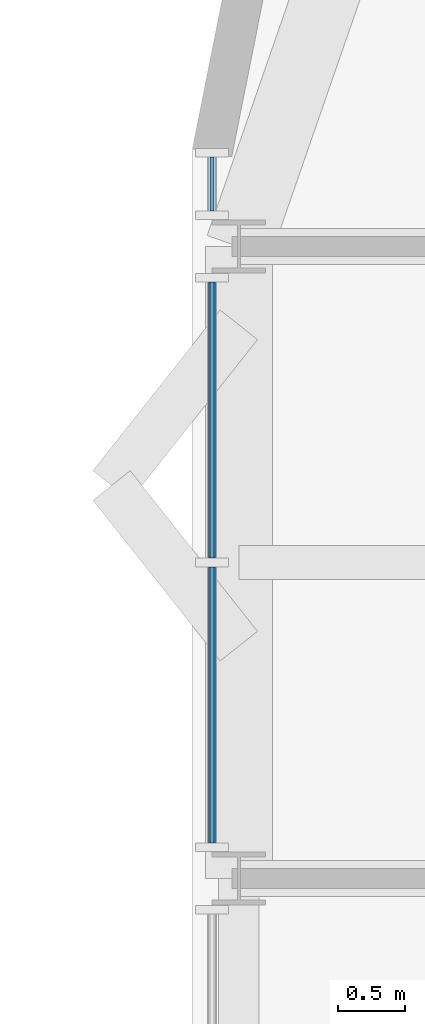
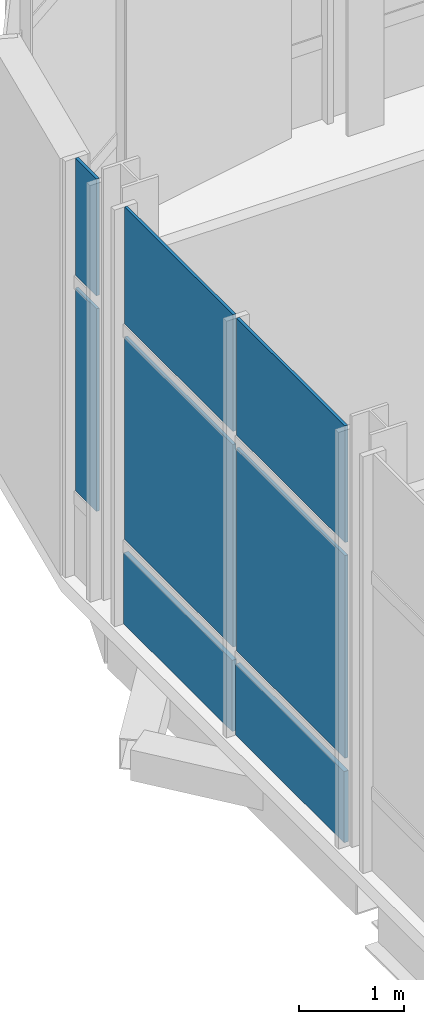
# One storey, part 9 of 15: 8 plates, 2 elements without a shape of their own.
"""IFC4 building model written with IfcOpenShell, lengths in metres."""

from ifc_helpers import new_model, si_unit, direction, frame, origin, origin_2d, place, context, subcontext, project, spatial, rectangle, extrude, material, layer, layer_set, type_object, element, aggregate, save


model = new_model("IFC4")

# Units and contexts
model_context = context("Model", 3, precision=1e-05, world=origin(), true_north=direction((0.0, 1.0)))
body_context = subcontext(model_context, "Body", "Model", "MODEL_VIEW")
ifc_project = project(units=[si_unit("LENGTHUNIT", "METRE"), si_unit("AREAUNIT", "SQUARE_METRE"), si_unit("VOLUMEUNIT", "CUBIC_METRE"), si_unit("PLANEANGLEUNIT", "RADIAN"), si_unit("MASSUNIT", "GRAM", prefix="KILO")], contexts=[model_context])

# Site, building, storey
site_placement = place(None, origin())
site = spatial("IfcSite", under=ifc_project, at=site_placement, CompositionType="ELEMENT")
building_placement = place(site_placement, origin())
building = spatial("IfcBuilding", under=site, at=building_placement, Name="Turquesa Mirador Hotel Tower", CompositionType="ELEMENT")
storey_placement = place(building_placement, frame((0.0, 0.0, 261.699951171875)))
storey = spatial("IfcBuildingStorey", under=building, at=storey_placement, Name="L71", CompositionType="ELEMENT", Elevation=261.699951171875)

# Curtain wall, plates
ifc_material_1 = material(Name="Aluminium extrusion", Category="aluminium")
curtain_wall_type = type_object("IfcCurtainWallType", Name="CW-5 SKY RESTAURANT CURTAIN WALL", PredefinedType="USERDEFINED", material=ifc_material_1)
curtain_wall_1_placement = place(storey_placement, origin())
curtain_wall_1 = element("IfcCurtainWall", 1, at=curtain_wall_1_placement, inside=storey, type_object=curtain_wall_type, Name="CW-5 SKY RESTAURANT CURTAIN WALL L71", ObjectType="CURTAIN WALL", PredefinedType="USERDEFINED")
ifc_material_2 = material(Name="Ceramic-printed spandrel glass on an insulated back pan", Category="glass")
ifc_layer_1 = layer(ifc_material_2, 0.050048828125)
ifc_layer_set_1 = layer_set([ifc_layer_1], Name="CW PANEL SPANDREL CERAMIC")
plate_type_1 = type_object("IfcPlateType", Name="CW PANEL SPANDREL CERAMIC", PredefinedType="CURTAIN_PANEL", material=ifc_layer_set_1)
plate_1_placement = place(storey_placement, frame((37.14990234375, 55.503173828125, 0.0), z_axis=(0.0, 0.0, 1.0), x_axis=(0.0, -1.0, 0.0)))
plate_1 = element("IfcPlate", 2, at=plate_1_placement, type_object=plate_type_1, Name="Panel", PredefinedType="CURTAIN_PANEL", context=body_context, shape_type="SweptSolid", body=[
    extrude(rectangle(XDim=2.06103515625, YDim=0.050048828125, at=origin_2d()), origin(), (0.0, 0.0, 1.0), 0.824951171875),
])
plate_2_placement = place(storey_placement, frame((37.14990234375, 53.376953125, 0.0), z_axis=(0.0, 0.0, 1.0), x_axis=(0.0, -1.0, 0.0)))
plate_2 = element("IfcPlate", 3, at=plate_2_placement, type_object=plate_type_1, Name="Panel", PredefinedType="CURTAIN_PANEL", context=body_context, shape_type="SweptSolid", body=[
    extrude(rectangle(XDim=2.06103515625, YDim=0.050048828125, at=origin_2d()), origin(), (0.0, 0.0, 1.0), 0.824951171875),
])

curtain_wall_2_placement = place(storey_placement, origin())
curtain_wall_2 = element("IfcCurtainWall", 4, at=curtain_wall_2_placement, inside=storey, type_object=curtain_wall_type, Name="CW-5 SKY RESTAURANT CURTAIN WALL L71", ObjectType="CURTAIN WALL", PredefinedType="USERDEFINED")
ifc_material_3 = material(Name="Ceramic-fritted laminated glass", Category="glass")
ifc_layer_2 = layer(ifc_material_3, 0.031982421875)
ifc_layer_set_2 = layer_set([ifc_layer_2], Name="CW PANEL VISION FRITTED")
plate_type_2 = type_object("IfcPlateType", Name="CW PANEL VISION FRITTED", PredefinedType="CURTAIN_PANEL", material=ifc_layer_set_2)
plate_3_placement = place(storey_placement, frame((37.14990234375, 57.266845703125, 0.97509765625), z_axis=(0.0, 0.0, 1.0), x_axis=(0.0, -1.0, 0.0)))
plate_3 = element("IfcPlate", 5, at=plate_3_placement, type_object=plate_type_2, Name="Panel", PredefinedType="CURTAIN_PANEL", context=body_context, shape_type="SweptSolid", body=[
    extrude(rectangle(XDim=0.401123046875, YDim=0.031982421875, at=origin_2d()), origin(), (0.0, 0.0, 1.0), 2.35009765625),
])
plate_4_placement = place(storey_placement, frame((37.14990234375, 57.266845703125, 3.47509765625), z_axis=(0.0, 0.0, 1.0), x_axis=(0.0, -1.0, 0.0)))
plate_4 = element("IfcPlate", 6, at=plate_4_placement, type_object=plate_type_2, Name="Panel", PredefinedType="CURTAIN_PANEL", context=body_context, shape_type="SweptSolid", body=[
    extrude(rectangle(XDim=0.401123046875, YDim=0.031982421875, at=origin_2d()), origin(), (0.0, 0.0, 1.0), 1.35498046875),
])
aggregate(curtain_wall_2, [plate_3, plate_4])

# Plate
plate_5_placement = place(storey_placement, frame((37.14990234375, 55.503173828125, 0.97509765625), z_axis=(0.0, 0.0, 1.0), x_axis=(0.0, -1.0, 0.0)))
plate_5 = element("IfcPlate", 7, at=plate_5_placement, type_object=plate_type_2, Name="Panel", PredefinedType="CURTAIN_PANEL", context=body_context, shape_type="SweptSolid", body=[
    extrude(rectangle(XDim=2.06103515625, YDim=0.031982421875, at=origin_2d()), origin(), (0.0, 0.0, 1.0), 2.35009765625),
])

plate_6_placement = place(storey_placement, frame((37.14990234375, 55.503173828125, 3.47509765625), z_axis=(0.0, 0.0, 1.0), x_axis=(0.0, -1.0, 0.0)))
plate_6 = element("IfcPlate", 8, at=plate_6_placement, type_object=plate_type_2, Name="Panel", PredefinedType="CURTAIN_PANEL", context=body_context, shape_type="SweptSolid", body=[
    extrude(rectangle(XDim=2.06103515625, YDim=0.031982421875, at=origin_2d()), origin(), (0.0, 0.0, 1.0), 1.35498046875),
])

plate_7_placement = place(storey_placement, frame((37.14990234375, 53.376953125, 0.97509765625), z_axis=(0.0, 0.0, 1.0), x_axis=(0.0, -1.0, 0.0)))
plate_7 = element("IfcPlate", 9, at=plate_7_placement, type_object=plate_type_2, Name="Panel", PredefinedType="CURTAIN_PANEL", context=body_context, shape_type="SweptSolid", body=[
    extrude(rectangle(XDim=2.06103515625, YDim=0.031982421875, at=origin_2d()), origin(), (0.0, 0.0, 1.0), 2.35009765625),
])

plate_8_placement = place(storey_placement, frame((37.14990234375, 53.376953125, 3.47509765625), z_axis=(0.0, 0.0, 1.0), x_axis=(0.0, -1.0, 0.0)))
plate_8 = element("IfcPlate", 10, at=plate_8_placement, type_object=plate_type_2, Name="Panel", PredefinedType="CURTAIN_PANEL", context=body_context, shape_type="SweptSolid", body=[
    extrude(rectangle(XDim=2.06103515625, YDim=0.031982421875, at=origin_2d()), origin(), (0.0, 0.0, 1.0), 1.35498046875),
])

aggregate(curtain_wall_1, [plate_1, plate_5, plate_6, plate_2, plate_7, plate_8])

save(model, "model.ifc")
